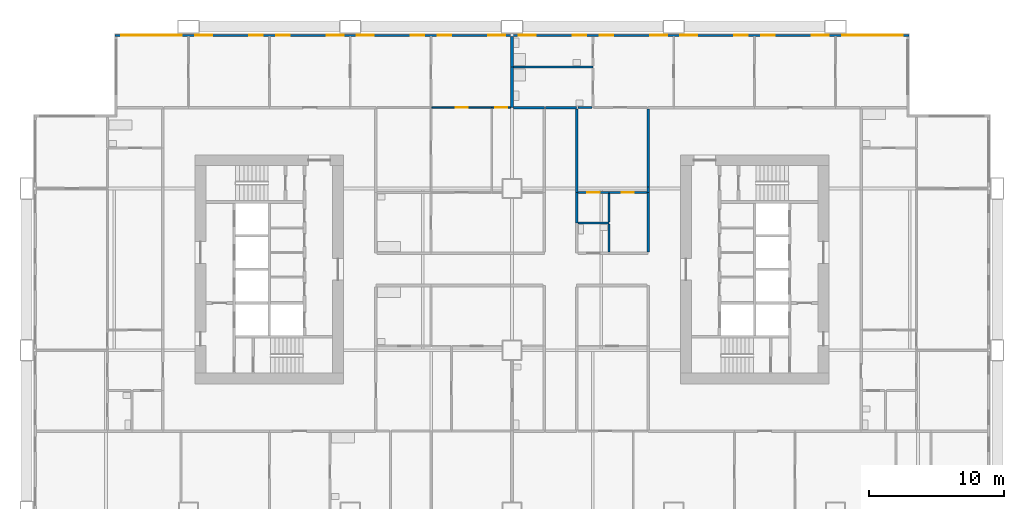
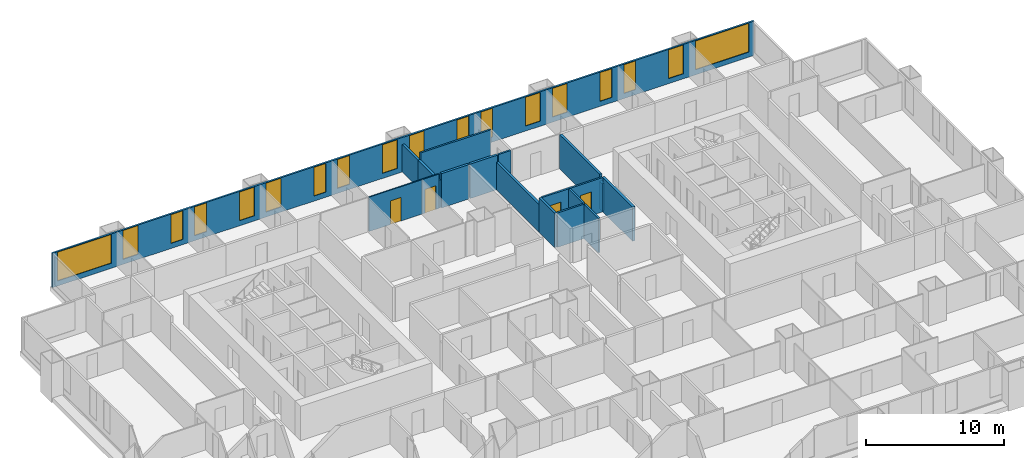
# One storey, part 9 of 14: 19 walls, 18 windows, 4 doors, 22 openings.
"""IFC4 building model written with IfcOpenShell, lengths in metres."""

from ifc_helpers import new_model, si_unit, direction, frame, frame_2d, origin, place, context, subcontext, project, spatial, rectangle, extrude, material, layer, layer_set, type_object, element, fill, save


model = new_model("IFC4")

# Units and contexts
model_context = context("Model", 3, precision=1e-05, world=origin(), true_north=direction((0.0, 1.0)))
body_context = subcontext(model_context, "Body", "Model", "MODEL_VIEW")
ifc_project = project(units=[si_unit("LENGTHUNIT", "METRE"), si_unit("AREAUNIT", "SQUARE_METRE"), si_unit("VOLUMEUNIT", "CUBIC_METRE"), si_unit("PLANEANGLEUNIT", "RADIAN"), si_unit("MASSUNIT", "GRAM", prefix="KILO")], contexts=[model_context])

# Site, building, storey
site_placement = place(None, origin())
site = spatial("IfcSite", under=ifc_project, at=site_placement, CompositionType="ELEMENT")
building_placement = place(site_placement, origin())
building = spatial("IfcBuilding", under=site, at=building_placement, Name="Kitamizu Gate Tower and Museum", CompositionType="ELEMENT")
storey_placement = place(building_placement, frame((0.0, 0.0, 74.85009765625)))
storey = spatial("IfcBuildingStorey", under=building, at=storey_placement, Name="L18", CompositionType="ELEMENT", Elevation=74.85009765625)

# Wall, opening, door
ifc_material_1 = material(Name="Gypsum board on galvanised stud")
ifc_layer_1 = layer(ifc_material_1, 0.10009765625)
ifc_layer_set_1 = layer_set([ifc_layer_1], Name="Gypsum board on galvanised stud")
wall_type_1 = type_object("IfcWallType", Name="Partition 100 NOT RATED", PredefinedType="PARTITIONING", material=ifc_layer_set_1)
wall_1_placement = place(storey_placement, frame((30.050048828125, 42.0, 0.0), z_axis=(0.0, 0.0, 1.0), x_axis=(1.0, 0.0, 0.0)))
wall_1 = element("IfcWall", 1, at=wall_1_placement, inside=storey, type_object=wall_type_1, Name="Partition L18-149", PredefinedType="PARTITIONING", context=body_context, shape_type="SweptSolid", body=[
    extrude(rectangle(XDim=4.449951171875, YDim=0.10009765625, at=frame_2d((2.22509765625, 0.0))), origin(), (0.0, 0.0, 1.0), 3.0498046875),
])
opening_1_placement = place(wall_1_placement, frame((1.77490234375, 0.0, 0.0)))
opening_1 = element("IfcOpeningElement", 2, at=opening_1_placement, cuts=wall_1, Name="Opening L18-054", PredefinedType="OPENING", context=body_context, shape_type="SweptSolid", body=[
    extrude(rectangle(XDim=0.89990234375, YDim=2.10009765625, at=frame_2d((0.449951171875, 1.050048828125))), frame((0.0, 0.06005859375, 0.0), z_axis=(0.0, -1.0, 0.0), x_axis=(1.0, 0.0, 0.0)), (0.0, 0.0, 1.0), 0.1201171875),
])
ifc_material_2 = material(Name="Timber door set", Category="wood")
door_type_1 = type_object("IfcDoorType", Name="Room door 900", OperationType="NOTDEFINED", PredefinedType="DOOR", material=ifc_material_2)
door_1_placement = place(opening_1_placement, frame((0.89990234375, 0.0, 0.0), x_axis=(-1.0, 0.0, 0.0)))
door_1 = element("IfcDoor", 3, at=door_1_placement, inside=storey, type_object=door_type_1, Name="Door L18-054", OperationType="SINGLE_SWING_LEFT", OverallHeight=2.10009765625, OverallWidth=0.89990234375, PredefinedType="DOOR", context=body_context, shape_type="SweptSolid", body=[
    extrude(rectangle(XDim=0.89990234375, YDim=2.10009765625, at=frame_2d((0.449951171875, 1.050048828125))), frame((0.0, 0.02490234375, 0.0), z_axis=(0.0, -1.0, 0.0), x_axis=(1.0, 0.0, 0.0)), (0.0, 0.0, 1.0), 0.050048828125),
])
fill(opening_1, door_1)

wall_2_placement = place(storey_placement, frame((34.5, 42.0, 0.0), z_axis=(0.0, 0.0, 1.0), x_axis=(1.0, 0.0, 0.0)))
wall_2 = element("IfcWall", 4, at=wall_2_placement, inside=storey, type_object=wall_type_1, Name="Partition L18-150", PredefinedType="PARTITIONING", context=body_context, shape_type="SweptSolid", body=[
    extrude(rectangle(XDim=1.39990234375, YDim=0.10009765625, at=frame_2d((0.699951171875, 0.0))), origin(), (0.0, 0.0, 1.0), 3.0498046875),
])
opening_2_placement = place(wall_2_placement, frame((0.25, 0.0, 0.0)))
opening_2 = element("IfcOpeningElement", 5, at=opening_2_placement, cuts=wall_2, Name="Opening L18-055", PredefinedType="OPENING", context=body_context, shape_type="SweptSolid", body=[
    extrude(rectangle(XDim=0.89990234375, YDim=2.10009765625, at=frame_2d((0.449951171875, 1.050048828125))), frame((0.0, 0.06005859375, 0.0), z_axis=(0.0, -1.0, 0.0), x_axis=(1.0, 0.0, 0.0)), (0.0, 0.0, 1.0), 0.1201171875),
])
door_2_placement = place(opening_2_placement, frame((0.89990234375, 0.0, 0.0), x_axis=(-1.0, 0.0, 0.0)))
door_2 = element("IfcDoor", 6, at=door_2_placement, inside=storey, type_object=door_type_1, Name="Door L18-055", OperationType="SINGLE_SWING_LEFT", OverallHeight=2.10009765625, OverallWidth=0.89990234375, PredefinedType="DOOR", context=body_context, shape_type="SweptSolid", body=[
    extrude(rectangle(XDim=0.89990234375, YDim=2.10009765625, at=frame_2d((0.449951171875, 1.050048828125))), frame((0.0, 0.02490234375, 0.0), z_axis=(0.0, -1.0, 0.0), x_axis=(1.0, 0.0, 0.0)), (0.0, 0.0, 1.0), 0.050048828125),
])
fill(opening_2, door_2)

# Walls
ifc_material_3 = material(Name="Gypsum board on galvanised stud")
ifc_layer_2 = layer(ifc_material_3, 0.14990234375)
ifc_layer_set_2 = layer_set([ifc_layer_2], Name="Gypsum board on galvanised stud")
wall_type_2 = type_object("IfcWallType", Name="Partition 150", PredefinedType="PARTITIONING", material=ifc_layer_set_2)
wall_3_placement = place(storey_placement, frame((42.0, 45.0, 0.0), z_axis=(0.0, 0.0, 1.0), x_axis=(-1.0, 0.0, 0.0)))
element("IfcWall", 7, at=wall_3_placement, inside=storey, type_object=wall_type_2, Name="Partition L18-171", PredefinedType="PARTITIONING", context=body_context, shape_type="SweptSolid", body=[
    extrude(rectangle(XDim=5.89990234375, YDim=0.14990234375, at=frame_2d((2.949951171875, 0.0))), origin(), (0.0, 0.0, 1.0), 3.0498046875),
])
wall_4_placement = place(storey_placement, frame((40.89990234375, 42.0, 0.0), z_axis=(0.0, 0.0, 1.0), x_axis=(1.0, 0.0, 0.0)))
element("IfcWall", 8, at=wall_4_placement, inside=storey, type_object=wall_type_2, Name="Partition L18-173", PredefinedType="PARTITIONING", context=body_context, shape_type="SweptSolid", body=[
    extrude(rectangle(XDim=1.025146484375, YDim=0.14990234375, at=frame_2d((0.5126953125, 0.0))), origin(), (0.0, 0.0, 1.0), 3.0498046875),
])

# Wall, opening, door
wall_5_placement = place(storey_placement, frame((40.89990234375, 35.699951171875, 0.0), z_axis=(0.0, 0.0, 1.0), x_axis=(1.0, 0.0, 0.0)))
wall_5 = element("IfcWall", 9, at=wall_5_placement, inside=storey, type_object=wall_type_2, Name="Partition L18-184", PredefinedType="PARTITIONING", context=body_context, shape_type="SweptSolid", body=[
    extrude(rectangle(XDim=2.300048828125, YDim=0.14990234375, at=frame_2d((1.14990234375, 0.0))), origin(), (0.0, 0.0, 1.0), 3.0498046875),
])
opening_3_placement = place(wall_5_placement, frame((0.699951171875, 0.0, 0.0)))
opening_3 = element("IfcOpeningElement", 10, at=opening_3_placement, cuts=wall_5, Name="Opening L18-068", PredefinedType="OPENING", context=body_context, shape_type="SweptSolid", body=[
    extrude(rectangle(XDim=0.89990234375, YDim=2.10009765625, at=frame_2d((0.449951171875, 1.050048828125))), frame((0.0, 0.0849609375, 0.0), z_axis=(0.0, -1.0, 0.0), x_axis=(1.0, 0.0, 0.0)), (0.0, 0.0, 1.0), 0.169921875),
])
ifc_material_4 = material(Name="Timber door set", Category="wood")
door_type_2 = type_object("IfcDoorType", Name="Bathroom door 900", OperationType="NOTDEFINED", PredefinedType="DOOR", material=ifc_material_4)
door_3_placement = place(opening_3_placement, frame((0.89990234375, 0.0, 0.0), x_axis=(-1.0, 0.0, 0.0)))
door_3 = element("IfcDoor", 11, at=door_3_placement, inside=storey, type_object=door_type_2, Name="Bathroom door L18-068", OperationType="SINGLE_SWING_RIGHT", OverallHeight=2.10009765625, OverallWidth=0.89990234375, PredefinedType="DOOR", context=body_context, shape_type="SweptSolid", body=[
    extrude(rectangle(XDim=0.89990234375, YDim=2.10009765625, at=frame_2d((0.449951171875, 1.050048828125))), frame((0.0, 0.02490234375, 0.0), z_axis=(0.0, -1.0, 0.0), x_axis=(1.0, 0.0, 0.0)), (0.0, 0.0, 1.0), 0.050048828125),
])
fill(opening_3, door_3)

wall_6_placement = place(storey_placement, frame((43.199951171875, 35.699951171875, 0.0), z_axis=(0.0, 0.0, 1.0), x_axis=(1.0, 0.0, 0.0)))
wall_6 = element("IfcWall", 12, at=wall_6_placement, inside=storey, type_object=wall_type_2, Name="Partition L18-185", PredefinedType="PARTITIONING", context=body_context, shape_type="SweptSolid", body=[
    extrude(rectangle(XDim=2.800048828125, YDim=0.14990234375, at=frame_2d((1.39990234375, 0.0))), origin(), (0.0, 0.0, 1.0), 3.0498046875),
])
opening_4_placement = place(wall_6_placement, frame((0.949951171875, 0.0, 0.0)))
opening_4 = element("IfcOpeningElement", 13, at=opening_4_placement, cuts=wall_6, Name="Opening L18-069", PredefinedType="OPENING", context=body_context, shape_type="SweptSolid", body=[
    extrude(rectangle(XDim=0.89990234375, YDim=2.10009765625, at=frame_2d((0.449951171875, 1.050048828125))), frame((0.0, 0.0849609375, 0.0), z_axis=(0.0, -1.0, 0.0), x_axis=(1.0, 0.0, 0.0)), (0.0, 0.0, 1.0), 0.169921875),
])
door_4_placement = place(opening_4_placement, frame((0.89990234375, 0.0, 0.0), x_axis=(-1.0, 0.0, 0.0)))
door_4 = element("IfcDoor", 14, at=door_4_placement, inside=storey, type_object=door_type_2, Name="Bathroom door L18-069", OperationType="SINGLE_SWING_LEFT", OverallHeight=2.10009765625, OverallWidth=0.89990234375, PredefinedType="DOOR", context=body_context, shape_type="SweptSolid", body=[
    extrude(rectangle(XDim=0.89990234375, YDim=2.10009765625, at=frame_2d((0.449951171875, 1.050048828125))), frame((0.0, 0.02490234375, 0.0), z_axis=(0.0, -1.0, 0.0), x_axis=(1.0, 0.0, 0.0)), (0.0, 0.0, 1.0), 0.050048828125),
])
fill(opening_4, door_4)

# Walls
wall_7_placement = place(storey_placement, frame((43.199951171875, 33.449951171875, 0.0), z_axis=(0.0, 0.0, 1.0), x_axis=(-1.0, 0.0, 0.0)))
element("IfcWall", 15, at=wall_7_placement, inside=storey, type_object=wall_type_2, Name="Partition L18-189", PredefinedType="PARTITIONING", context=body_context, shape_type="SweptSolid", body=[
    extrude(rectangle(XDim=2.300048828125, YDim=0.14990234375, at=frame_2d((1.14990234375, 0.0))), origin(), (0.0, 0.0, 1.0), 3.0498046875),
])
wall_8_placement = place(storey_placement, frame((43.199951171875, 31.300048828125, 0.0), z_axis=(0.0, 0.0, 1.0), x_axis=(0.0, 1.0, 0.0)))
element("IfcWall", 16, at=wall_8_placement, inside=storey, type_object=wall_type_2, Name="Partition L18-190", PredefinedType="PARTITIONING", context=body_context, shape_type="SweptSolid", body=[
    extrude(rectangle(XDim=2.074951171875, YDim=0.14990234375, at=frame_2d((1.03759765625, 0.0))), origin(), (0.0, 0.0, 1.0), 3.0498046875),
])
wall_9_placement = place(storey_placement, frame((43.199951171875, 33.52490234375, 0.0), z_axis=(0.0, 0.0, 1.0), x_axis=(0.0, 1.0, 0.0)))
element("IfcWall", 17, at=wall_9_placement, inside=storey, type_object=wall_type_2, Name="Partition L18-193", PredefinedType="PARTITIONING", context=body_context, shape_type="SweptSolid", body=[
    extrude(rectangle(XDim=2.10009765625, YDim=0.14990234375, at=frame_2d((1.050048828125, 0.0))), origin(), (0.0, 0.0, 1.0), 3.0498046875),
])
ifc_material_5 = material(Name="Gypsum board on galvanised stud")
ifc_layer_3 = layer(ifc_material_5, 0.199951171875)
ifc_layer_set_3 = layer_set([ifc_layer_3], Name="Gypsum board on galvanised stud")
wall_type_3 = type_object("IfcWallType", Name="Partition 200", PredefinedType="PARTITIONING", material=ifc_layer_set_3)
wall_10_placement = place(storey_placement, frame((36.0, 42.0, 0.0), z_axis=(0.0, 0.0, 1.0), x_axis=(0.0, 1.0, 0.0)))
element("IfcWall", 18, at=wall_10_placement, inside=storey, type_object=wall_type_3, Name="Partition L18-151", PredefinedType="PARTITIONING", context=body_context, shape_type="SweptSolid", body=[
    extrude(rectangle(XDim=3.0, YDim=0.199951171875, at=frame_2d((1.5, 0.0))), origin(), (0.0, 0.0, 1.0), 2.449951171875),
])
wall_11_placement = place(storey_placement, frame((36.0, 45.0, 0.0), z_axis=(0.0, 0.0, 1.0), x_axis=(0.0, 1.0, 0.0)))
element("IfcWall", 19, at=wall_11_placement, inside=storey, type_object=wall_type_3, Name="Partition L18-152", PredefinedType="PARTITIONING", context=body_context, shape_type="SweptSolid", body=[
    extrude(rectangle(XDim=2.280029296875, YDim=0.199951171875, at=frame_2d((1.14013671875, 0.0))), origin(), (0.0, 0.0, 1.0), 2.449951171875),
])
wall_12_placement = place(storey_placement, frame((38.39990234375, 42.0, 0.0), z_axis=(0.0, 0.0, 1.0), x_axis=(-1.0, 0.0, 0.0)))
element("IfcWall", 20, at=wall_12_placement, inside=storey, type_object=wall_type_3, Name="Partition L18-162", PredefinedType="PARTITIONING", context=body_context, shape_type="SweptSolid", body=[
    extrude(rectangle(XDim=2.2998046875, YDim=0.199951171875, at=frame_2d((1.14990234375, 0.0))), origin(), (0.0, 0.0, 1.0), 3.0498046875),
])
wall_13_placement = place(storey_placement, frame((38.5, 42.0, 0.0), z_axis=(0.0, 0.0, 1.0), x_axis=(1.0, 0.0, 0.0)))
element("IfcWall", 21, at=wall_13_placement, inside=storey, type_object=wall_type_3, Name="Partition L18-174", PredefinedType="PARTITIONING", context=body_context, shape_type="SweptSolid", body=[
    extrude(rectangle(XDim=2.300048828125, YDim=0.199951171875, at=frame_2d((1.14990234375, 0.0))), origin(), (0.0, 0.0, 1.0), 3.0498046875),
])
wall_14_placement = place(storey_placement, frame((40.800048828125, 41.89990234375, 0.0), z_axis=(0.0, 0.0, 1.0), x_axis=(0.0, -1.0, 0.0)))
element("IfcWall", 22, at=wall_14_placement, inside=storey, type_object=wall_type_3, Name="Partition L18-186", PredefinedType="PARTITIONING", context=body_context, shape_type="SweptSolid", body=[
    extrude(rectangle(XDim=6.199951171875, YDim=0.199951171875, at=frame_2d((3.10009765625, 0.0))), origin(), (0.0, 0.0, 1.0), 2.449951171875),
])
wall_15_placement = place(storey_placement, frame((46.10009765625, 35.699951171875, 0.0), z_axis=(0.0, 0.0, 1.0), x_axis=(0.0, 1.0, 0.0)))
element("IfcWall", 23, at=wall_15_placement, inside=storey, type_object=wall_type_3, Name="Partition L18-187", PredefinedType="PARTITIONING", context=body_context, shape_type="SweptSolid", body=[
    extrude(rectangle(XDim=0.400146484375, YDim=0.199951171875, at=frame_2d((0.2001953125, 0.0))), origin(), (0.0, 0.0, 1.0), 2.449951171875),
])
wall_16_placement = place(storey_placement, frame((46.10009765625, 36.10009765625, 0.0), z_axis=(0.0, 0.0, 1.0), x_axis=(0.0, 1.0, 0.0)))
element("IfcWall", 24, at=wall_16_placement, inside=storey, type_object=wall_type_3, Name="Partition L18-188", PredefinedType="PARTITIONING", context=body_context, shape_type="SweptSolid", body=[
    extrude(rectangle(XDim=5.7998046875, YDim=0.199951171875, at=frame_2d((2.89990234375, 0.0))), origin(), (0.0, 0.0, 1.0), 3.0498046875),
])
wall_17_placement = place(storey_placement, frame((40.800048828125, 35.699951171875, 0.0), z_axis=(0.0, 0.0, 1.0), x_axis=(0.0, -1.0, 0.0)))
element("IfcWall", 25, at=wall_17_placement, inside=storey, type_object=wall_type_3, Name="Partition L18-194", PredefinedType="PARTITIONING", context=body_context, shape_type="SweptSolid", body=[
    extrude(rectangle(XDim=2.25, YDim=0.199951171875, at=frame_2d((1.125, 0.0))), origin(), (0.0, 0.0, 1.0), 3.0498046875),
])
wall_18_placement = place(storey_placement, frame((46.10009765625, 31.300048828125, 0.0), z_axis=(0.0, 0.0, 1.0), x_axis=(0.0, 1.0, 0.0)))
element("IfcWall", 26, at=wall_18_placement, inside=storey, type_object=wall_type_3, Name="Partition L18-196", PredefinedType="PARTITIONING", context=body_context, shape_type="SweptSolid", body=[
    extrude(rectangle(XDim=4.39990234375, YDim=0.199951171875, at=frame_2d((2.199951171875, 0.0))), origin(), (0.0, 0.0, 1.0), 3.0498046875),
])

# Wall, openings, windows
ifc_material_6 = material(Name="Bronze anodised aluminium frame with insulated spandrel and tinted glass", Category="aluminium")
ifc_layer_4 = layer(ifc_material_6, 0.14990234375)
ifc_layer_set_4 = layer_set([ifc_layer_4], Name="Bronze anodised aluminium frame with insulated spandrel and tinted glass")
wall_type_4 = type_object("IfcWallType", Name="WINDOW WALL 150 BRONZE FRAME EI 30", PredefinedType="ELEMENTEDWALL", material=ifc_layer_set_4)
wall_19_placement = place(storey_placement, frame((6.56005859375, 47.364990234375, 0.0), z_axis=(0.0, 0.0, 1.0), x_axis=(1.0, 0.0, 0.0)))
wall_19 = element("IfcWall", 27, at=wall_19_placement, inside=storey, type_object=wall_type_4, Name="Window wall north L18", PredefinedType="ELEMENTEDWALL", context=body_context, shape_type="SweptSolid", body=[
    extrude(rectangle(XDim=58.8798828125, YDim=0.14990234375, at=frame_2d((29.43994140625, 0.0))), origin(), (0.0, 0.0, 1.0), 3.0498046875),
])
opening_5_placement = place(wall_19_placement, frame((0.43994140625, 0.0, 0.449951171875)))
opening_5 = element("IfcOpeningElement", 28, at=opening_5_placement, cuts=wall_19, Name="Opening W15", PredefinedType="OPENING", context=body_context, shape_type="SweptSolid", body=[
    extrude(rectangle(XDim=4.5, YDim=2.550048828125, at=frame_2d((2.25, 1.27490234375))), frame((0.0, 0.0849609375, 0.0), z_axis=(0.0, -1.0, 0.0), x_axis=(1.0, 0.0, 0.0)), (0.0, 0.0, 1.0), 0.169921875),
])
opening_6_placement = place(wall_19_placement, frame((5.93994140625, 0.0, 0.449951171875)))
opening_6 = element("IfcOpeningElement", 29, at=opening_6_placement, cuts=wall_19, Name="Opening W27", PredefinedType="OPENING", context=body_context, shape_type="SweptSolid", body=[
    extrude(rectangle(XDim=1.25, YDim=2.550048828125, at=frame_2d((0.625, 1.27490234375))), frame((0.0, 0.0849609375, 0.0), z_axis=(0.0, -1.0, 0.0), x_axis=(1.0, 0.0, 0.0)), (0.0, 0.0, 1.0), 0.169921875),
])
opening_7_placement = place(wall_19_placement, frame((9.93994140625, 0.0, 0.449951171875)))
opening_7 = element("IfcOpeningElement", 30, at=opening_7_placement, cuts=wall_19, Name="Opening W26", PredefinedType="OPENING", context=body_context, shape_type="SweptSolid", body=[
    extrude(rectangle(XDim=1.0, YDim=2.550048828125, at=frame_2d((0.5, 1.27490234375))), frame((0.0, 0.0849609375, 0.0), z_axis=(0.0, -1.0, 0.0), x_axis=(1.0, 0.0, 0.0)), (0.0, 0.0, 1.0), 0.169921875),
])
opening_8_placement = place(wall_19_placement, frame((11.93994140625, 0.0, 0.449951171875)))
opening_8 = element("IfcOpeningElement", 31, at=opening_8_placement, cuts=wall_19, Name="Opening W26", PredefinedType="OPENING", context=body_context, shape_type="SweptSolid", body=[
    extrude(rectangle(XDim=1.0, YDim=2.550048828125, at=frame_2d((0.5, 1.27490234375))), frame((0.0, 0.0849609375, 0.0), z_axis=(0.0, -1.0, 0.0), x_axis=(1.0, 0.0, 0.0)), (0.0, 0.0, 1.0), 0.169921875),
])
opening_9_placement = place(wall_19_placement, frame((15.68994140625, 0.0, 0.449951171875)))
opening_9 = element("IfcOpeningElement", 32, at=opening_9_placement, cuts=wall_19, Name="Opening W27", PredefinedType="OPENING", context=body_context, shape_type="SweptSolid", body=[
    extrude(rectangle(XDim=1.25, YDim=2.550048828125, at=frame_2d((0.625, 1.27490234375))), frame((0.0, 0.0849609375, 0.0), z_axis=(0.0, -1.0, 0.0), x_axis=(1.0, 0.0, 0.0)), (0.0, 0.0, 1.0), 0.169921875),
])
opening_10_placement = place(wall_19_placement, frame((17.93994140625, 0.0, 0.449951171875)))
opening_10 = element("IfcOpeningElement", 33, at=opening_10_placement, cuts=wall_19, Name="Opening W27", PredefinedType="OPENING", context=body_context, shape_type="SweptSolid", body=[
    extrude(rectangle(XDim=1.25, YDim=2.550048828125, at=frame_2d((0.625, 1.27490234375))), frame((0.0, 0.0849609375, 0.0), z_axis=(0.0, -1.0, 0.0), x_axis=(1.0, 0.0, 0.0)), (0.0, 0.0, 1.0), 0.169921875),
])
opening_11_placement = place(wall_19_placement, frame((21.93994140625, 0.0, 0.449951171875)))
opening_11 = element("IfcOpeningElement", 34, at=opening_11_placement, cuts=wall_19, Name="Opening W26", PredefinedType="OPENING", context=body_context, shape_type="SweptSolid", body=[
    extrude(rectangle(XDim=1.0, YDim=2.550048828125, at=frame_2d((0.5, 1.27490234375))), frame((0.0, 0.0849609375, 0.0), z_axis=(0.0, -1.0, 0.0), x_axis=(1.0, 0.0, 0.0)), (0.0, 0.0, 1.0), 0.169921875),
])
opening_12_placement = place(wall_19_placement, frame((23.93994140625, 0.0, 0.449951171875)))
opening_12 = element("IfcOpeningElement", 35, at=opening_12_placement, cuts=wall_19, Name="Opening W26", PredefinedType="OPENING", context=body_context, shape_type="SweptSolid", body=[
    extrude(rectangle(XDim=1.0, YDim=2.550048828125, at=frame_2d((0.5, 1.27490234375))), frame((0.0, 0.0849609375, 0.0), z_axis=(0.0, -1.0, 0.0), x_axis=(1.0, 0.0, 0.0)), (0.0, 0.0, 1.0), 0.169921875),
])
opening_13_placement = place(wall_19_placement, frame((27.68994140625, 0.0, 0.449951171875)))
opening_13 = element("IfcOpeningElement", 36, at=opening_13_placement, cuts=wall_19, Name="Opening W27", PredefinedType="OPENING", context=body_context, shape_type="SweptSolid", body=[
    extrude(rectangle(XDim=1.25, YDim=2.550048828125, at=frame_2d((0.625, 1.27490234375))), frame((0.0, 0.0849609375, 0.0), z_axis=(0.0, -1.0, 0.0), x_axis=(1.0, 0.0, 0.0)), (0.0, 0.0, 1.0), 0.169921875),
])
opening_14_placement = place(wall_19_placement, frame((29.93994140625, 0.0, 0.449951171875)))
opening_14 = element("IfcOpeningElement", 37, at=opening_14_placement, cuts=wall_19, Name="Opening W27", PredefinedType="OPENING", context=body_context, shape_type="SweptSolid", body=[
    extrude(rectangle(XDim=1.25, YDim=2.550048828125, at=frame_2d((0.625, 1.27490234375))), frame((0.0, 0.0849609375, 0.0), z_axis=(0.0, -1.0, 0.0), x_axis=(1.0, 0.0, 0.0)), (0.0, 0.0, 1.0), 0.169921875),
])
opening_15_placement = place(wall_19_placement, frame((33.93994140625, 0.0, 0.449951171875)))
opening_15 = element("IfcOpeningElement", 38, at=opening_15_placement, cuts=wall_19, Name="Opening W26", PredefinedType="OPENING", context=body_context, shape_type="SweptSolid", body=[
    extrude(rectangle(XDim=1.0, YDim=2.550048828125, at=frame_2d((0.5, 1.27490234375))), frame((0.0, 0.0849609375, 0.0), z_axis=(0.0, -1.0, 0.0), x_axis=(1.0, 0.0, 0.0)), (0.0, 0.0, 1.0), 0.169921875),
])
opening_16_placement = place(wall_19_placement, frame((35.93994140625, 0.0, 0.449951171875)))
opening_16 = element("IfcOpeningElement", 39, at=opening_16_placement, cuts=wall_19, Name="Opening W26", PredefinedType="OPENING", context=body_context, shape_type="SweptSolid", body=[
    extrude(rectangle(XDim=1.0, YDim=2.550048828125, at=frame_2d((0.5, 1.27490234375))), frame((0.0, 0.0849609375, 0.0), z_axis=(0.0, -1.0, 0.0), x_axis=(1.0, 0.0, 0.0)), (0.0, 0.0, 1.0), 0.169921875),
])
opening_17_placement = place(wall_19_placement, frame((39.68994140625, 0.0, 0.449951171875)))
opening_17 = element("IfcOpeningElement", 40, at=opening_17_placement, cuts=wall_19, Name="Opening W27", PredefinedType="OPENING", context=body_context, shape_type="SweptSolid", body=[
    extrude(rectangle(XDim=1.25, YDim=2.550048828125, at=frame_2d((0.625, 1.27490234375))), frame((0.0, 0.0849609375, 0.0), z_axis=(0.0, -1.0, 0.0), x_axis=(1.0, 0.0, 0.0)), (0.0, 0.0, 1.0), 0.169921875),
])
opening_18_placement = place(wall_19_placement, frame((41.93994140625, 0.0, 0.449951171875)))
opening_18 = element("IfcOpeningElement", 41, at=opening_18_placement, cuts=wall_19, Name="Opening W27", PredefinedType="OPENING", context=body_context, shape_type="SweptSolid", body=[
    extrude(rectangle(XDim=1.25, YDim=2.550048828125, at=frame_2d((0.625, 1.27490234375))), frame((0.0, 0.0849609375, 0.0), z_axis=(0.0, -1.0, 0.0), x_axis=(1.0, 0.0, 0.0)), (0.0, 0.0, 1.0), 0.169921875),
])
opening_19_placement = place(wall_19_placement, frame((45.93994140625, 0.0, 0.449951171875)))
opening_19 = element("IfcOpeningElement", 42, at=opening_19_placement, cuts=wall_19, Name="Opening W26", PredefinedType="OPENING", context=body_context, shape_type="SweptSolid", body=[
    extrude(rectangle(XDim=1.0, YDim=2.550048828125, at=frame_2d((0.5, 1.27490234375))), frame((0.0, 0.0849609375, 0.0), z_axis=(0.0, -1.0, 0.0), x_axis=(1.0, 0.0, 0.0)), (0.0, 0.0, 1.0), 0.169921875),
])
opening_20_placement = place(wall_19_placement, frame((47.93994140625, 0.0, 0.449951171875)))
opening_20 = element("IfcOpeningElement", 43, at=opening_20_placement, cuts=wall_19, Name="Opening W26", PredefinedType="OPENING", context=body_context, shape_type="SweptSolid", body=[
    extrude(rectangle(XDim=1.0, YDim=2.550048828125, at=frame_2d((0.5, 1.27490234375))), frame((0.0, 0.0849609375, 0.0), z_axis=(0.0, -1.0, 0.0), x_axis=(1.0, 0.0, 0.0)), (0.0, 0.0, 1.0), 0.169921875),
])
opening_21_placement = place(wall_19_placement, frame((51.68994140625, 0.0, 0.449951171875)))
opening_21 = element("IfcOpeningElement", 44, at=opening_21_placement, cuts=wall_19, Name="Opening W27", PredefinedType="OPENING", context=body_context, shape_type="SweptSolid", body=[
    extrude(rectangle(XDim=1.25, YDim=2.550048828125, at=frame_2d((0.625, 1.27490234375))), frame((0.0, 0.0849609375, 0.0), z_axis=(0.0, -1.0, 0.0), x_axis=(1.0, 0.0, 0.0)), (0.0, 0.0, 1.0), 0.169921875),
])
opening_22_placement = place(wall_19_placement, frame((53.93994140625, 0.0, 0.449951171875)))
opening_22 = element("IfcOpeningElement", 45, at=opening_22_placement, cuts=wall_19, Name="Opening W15", PredefinedType="OPENING", context=body_context, shape_type="SweptSolid", body=[
    extrude(rectangle(XDim=4.5, YDim=2.550048828125, at=frame_2d((2.25, 1.27490234375))), frame((0.0, 0.0849609375, 0.0), z_axis=(0.0, -1.0, 0.0), x_axis=(1.0, 0.0, 0.0)), (0.0, 0.0, 1.0), 0.169921875),
])
ifc_material_7 = material(Name="Bronze anodised aluminium frame, tinted triple glazing", Category="aluminium")
window_type_1 = type_object("IfcWindowType", Name="WINDOW 1000 x 2550 SILL 450", PartitioningType="SINGLE_PANEL", PredefinedType="WINDOW", material=ifc_material_7)
window_1_placement = place(opening_7_placement, origin())
window_1 = element("IfcWindow", 46, at=window_1_placement, inside=storey, type_object=window_type_1, Name="Window W26 L18", OverallHeight=2.550048828125, OverallWidth=1.0, PartitioningType="SINGLE_PANEL", PredefinedType="WINDOW", context=body_context, shape_type="SweptSolid", body=[
    extrude(rectangle(XDim=1.0, YDim=2.550048828125, at=frame_2d((0.5, 1.27490234375))), frame((0.0, 0.030029296875, 0.0), z_axis=(0.0, -1.0, 0.0), x_axis=(1.0, 0.0, 0.0)), (0.0, 0.0, 1.0), 0.06005859375),
])
fill(opening_7, window_1)
window_2_placement = place(opening_8_placement, origin())
window_2 = element("IfcWindow", 47, at=window_2_placement, inside=storey, type_object=window_type_1, Name="Window W26 L18", OverallHeight=2.550048828125, OverallWidth=1.0, PartitioningType="SINGLE_PANEL", PredefinedType="WINDOW", context=body_context, shape_type="SweptSolid", body=[
    extrude(rectangle(XDim=1.0, YDim=2.550048828125, at=frame_2d((0.5, 1.27490234375))), frame((0.0, 0.030029296875, 0.0), z_axis=(0.0, -1.0, 0.0), x_axis=(1.0, 0.0, 0.0)), (0.0, 0.0, 1.0), 0.06005859375),
])
fill(opening_8, window_2)
window_3_placement = place(opening_11_placement, origin())
window_3 = element("IfcWindow", 48, at=window_3_placement, inside=storey, type_object=window_type_1, Name="Window W26 L18", OverallHeight=2.550048828125, OverallWidth=1.0, PartitioningType="SINGLE_PANEL", PredefinedType="WINDOW", context=body_context, shape_type="SweptSolid", body=[
    extrude(rectangle(XDim=1.0, YDim=2.550048828125, at=frame_2d((0.5, 1.27490234375))), frame((0.0, 0.030029296875, 0.0), z_axis=(0.0, -1.0, 0.0), x_axis=(1.0, 0.0, 0.0)), (0.0, 0.0, 1.0), 0.06005859375),
])
fill(opening_11, window_3)
window_4_placement = place(opening_12_placement, origin())
window_4 = element("IfcWindow", 49, at=window_4_placement, inside=storey, type_object=window_type_1, Name="Window W26 L18", OverallHeight=2.550048828125, OverallWidth=1.0, PartitioningType="SINGLE_PANEL", PredefinedType="WINDOW", context=body_context, shape_type="SweptSolid", body=[
    extrude(rectangle(XDim=1.0, YDim=2.550048828125, at=frame_2d((0.5, 1.27490234375))), frame((0.0, 0.030029296875, 0.0), z_axis=(0.0, -1.0, 0.0), x_axis=(1.0, 0.0, 0.0)), (0.0, 0.0, 1.0), 0.06005859375),
])
fill(opening_12, window_4)
window_5_placement = place(opening_15_placement, origin())
window_5 = element("IfcWindow", 50, at=window_5_placement, inside=storey, type_object=window_type_1, Name="Window W26 L18", OverallHeight=2.550048828125, OverallWidth=1.0, PartitioningType="SINGLE_PANEL", PredefinedType="WINDOW", context=body_context, shape_type="SweptSolid", body=[
    extrude(rectangle(XDim=1.0, YDim=2.550048828125, at=frame_2d((0.5, 1.27490234375))), frame((0.0, 0.030029296875, 0.0), z_axis=(0.0, -1.0, 0.0), x_axis=(1.0, 0.0, 0.0)), (0.0, 0.0, 1.0), 0.06005859375),
])
fill(opening_15, window_5)
window_6_placement = place(opening_16_placement, origin())
window_6 = element("IfcWindow", 51, at=window_6_placement, inside=storey, type_object=window_type_1, Name="Window W26 L18", OverallHeight=2.550048828125, OverallWidth=1.0, PartitioningType="SINGLE_PANEL", PredefinedType="WINDOW", context=body_context, shape_type="SweptSolid", body=[
    extrude(rectangle(XDim=1.0, YDim=2.550048828125, at=frame_2d((0.5, 1.27490234375))), frame((0.0, 0.030029296875, 0.0), z_axis=(0.0, -1.0, 0.0), x_axis=(1.0, 0.0, 0.0)), (0.0, 0.0, 1.0), 0.06005859375),
])
fill(opening_16, window_6)
window_7_placement = place(opening_19_placement, origin())
window_7 = element("IfcWindow", 52, at=window_7_placement, inside=storey, type_object=window_type_1, Name="Window W26 L18", OverallHeight=2.550048828125, OverallWidth=1.0, PartitioningType="SINGLE_PANEL", PredefinedType="WINDOW", context=body_context, shape_type="SweptSolid", body=[
    extrude(rectangle(XDim=1.0, YDim=2.550048828125, at=frame_2d((0.5, 1.27490234375))), frame((0.0, 0.030029296875, 0.0), z_axis=(0.0, -1.0, 0.0), x_axis=(1.0, 0.0, 0.0)), (0.0, 0.0, 1.0), 0.06005859375),
])
fill(opening_19, window_7)
window_8_placement = place(opening_20_placement, origin())
window_8 = element("IfcWindow", 53, at=window_8_placement, inside=storey, type_object=window_type_1, Name="Window W26 L18", OverallHeight=2.550048828125, OverallWidth=1.0, PartitioningType="SINGLE_PANEL", PredefinedType="WINDOW", context=body_context, shape_type="SweptSolid", body=[
    extrude(rectangle(XDim=1.0, YDim=2.550048828125, at=frame_2d((0.5, 1.27490234375))), frame((0.0, 0.030029296875, 0.0), z_axis=(0.0, -1.0, 0.0), x_axis=(1.0, 0.0, 0.0)), (0.0, 0.0, 1.0), 0.06005859375),
])
fill(opening_20, window_8)
ifc_material_8 = material(Name="Bronze anodised aluminium frame, tinted triple glazing", Category="aluminium")
window_type_2 = type_object("IfcWindowType", Name="WINDOW 1250 x 2550 SILL 450", PartitioningType="SINGLE_PANEL", PredefinedType="WINDOW", material=ifc_material_8)
window_9_placement = place(opening_6_placement, origin())
window_9 = element("IfcWindow", 54, at=window_9_placement, inside=storey, type_object=window_type_2, Name="Window W27 L18", OverallHeight=2.550048828125, OverallWidth=1.25, PartitioningType="SINGLE_PANEL", PredefinedType="WINDOW", context=body_context, shape_type="SweptSolid", body=[
    extrude(rectangle(XDim=1.25, YDim=2.550048828125, at=frame_2d((0.625, 1.27490234375))), frame((0.0, 0.030029296875, 0.0), z_axis=(0.0, -1.0, 0.0), x_axis=(1.0, 0.0, 0.0)), (0.0, 0.0, 1.0), 0.06005859375),
])
fill(opening_6, window_9)
window_10_placement = place(opening_9_placement, origin())
window_10 = element("IfcWindow", 55, at=window_10_placement, inside=storey, type_object=window_type_2, Name="Window W27 L18", OverallHeight=2.550048828125, OverallWidth=1.25, PartitioningType="SINGLE_PANEL", PredefinedType="WINDOW", context=body_context, shape_type="SweptSolid", body=[
    extrude(rectangle(XDim=1.25, YDim=2.550048828125, at=frame_2d((0.625, 1.27490234375))), frame((0.0, 0.030029296875, 0.0), z_axis=(0.0, -1.0, 0.0), x_axis=(1.0, 0.0, 0.0)), (0.0, 0.0, 1.0), 0.06005859375),
])
fill(opening_9, window_10)
window_11_placement = place(opening_10_placement, origin())
window_11 = element("IfcWindow", 56, at=window_11_placement, inside=storey, type_object=window_type_2, Name="Window W27 L18", OverallHeight=2.550048828125, OverallWidth=1.25, PartitioningType="SINGLE_PANEL", PredefinedType="WINDOW", context=body_context, shape_type="SweptSolid", body=[
    extrude(rectangle(XDim=1.25, YDim=2.550048828125, at=frame_2d((0.625, 1.27490234375))), frame((0.0, 0.030029296875, 0.0), z_axis=(0.0, -1.0, 0.0), x_axis=(1.0, 0.0, 0.0)), (0.0, 0.0, 1.0), 0.06005859375),
])
fill(opening_10, window_11)
window_12_placement = place(opening_13_placement, origin())
window_12 = element("IfcWindow", 57, at=window_12_placement, inside=storey, type_object=window_type_2, Name="Window W27 L18", OverallHeight=2.550048828125, OverallWidth=1.25, PartitioningType="SINGLE_PANEL", PredefinedType="WINDOW", context=body_context, shape_type="SweptSolid", body=[
    extrude(rectangle(XDim=1.25, YDim=2.550048828125, at=frame_2d((0.625, 1.27490234375))), frame((0.0, 0.030029296875, 0.0), z_axis=(0.0, -1.0, 0.0), x_axis=(1.0, 0.0, 0.0)), (0.0, 0.0, 1.0), 0.06005859375),
])
fill(opening_13, window_12)
window_13_placement = place(opening_14_placement, origin())
window_13 = element("IfcWindow", 58, at=window_13_placement, inside=storey, type_object=window_type_2, Name="Window W27 L18", OverallHeight=2.550048828125, OverallWidth=1.25, PartitioningType="SINGLE_PANEL", PredefinedType="WINDOW", context=body_context, shape_type="SweptSolid", body=[
    extrude(rectangle(XDim=1.25, YDim=2.550048828125, at=frame_2d((0.625, 1.27490234375))), frame((0.0, 0.030029296875, 0.0), z_axis=(0.0, -1.0, 0.0), x_axis=(1.0, 0.0, 0.0)), (0.0, 0.0, 1.0), 0.06005859375),
])
fill(opening_14, window_13)
window_14_placement = place(opening_17_placement, origin())
window_14 = element("IfcWindow", 59, at=window_14_placement, inside=storey, type_object=window_type_2, Name="Window W27 L18", OverallHeight=2.550048828125, OverallWidth=1.25, PartitioningType="SINGLE_PANEL", PredefinedType="WINDOW", context=body_context, shape_type="SweptSolid", body=[
    extrude(rectangle(XDim=1.25, YDim=2.550048828125, at=frame_2d((0.625, 1.27490234375))), frame((0.0, 0.030029296875, 0.0), z_axis=(0.0, -1.0, 0.0), x_axis=(1.0, 0.0, 0.0)), (0.0, 0.0, 1.0), 0.06005859375),
])
fill(opening_17, window_14)
window_15_placement = place(opening_18_placement, origin())
window_15 = element("IfcWindow", 60, at=window_15_placement, inside=storey, type_object=window_type_2, Name="Window W27 L18", OverallHeight=2.550048828125, OverallWidth=1.25, PartitioningType="SINGLE_PANEL", PredefinedType="WINDOW", context=body_context, shape_type="SweptSolid", body=[
    extrude(rectangle(XDim=1.25, YDim=2.550048828125, at=frame_2d((0.625, 1.27490234375))), frame((0.0, 0.030029296875, 0.0), z_axis=(0.0, -1.0, 0.0), x_axis=(1.0, 0.0, 0.0)), (0.0, 0.0, 1.0), 0.06005859375),
])
fill(opening_18, window_15)
window_16_placement = place(opening_21_placement, origin())
window_16 = element("IfcWindow", 61, at=window_16_placement, inside=storey, type_object=window_type_2, Name="Window W27 L18", OverallHeight=2.550048828125, OverallWidth=1.25, PartitioningType="SINGLE_PANEL", PredefinedType="WINDOW", context=body_context, shape_type="SweptSolid", body=[
    extrude(rectangle(XDim=1.25, YDim=2.550048828125, at=frame_2d((0.625, 1.27490234375))), frame((0.0, 0.030029296875, 0.0), z_axis=(0.0, -1.0, 0.0), x_axis=(1.0, 0.0, 0.0)), (0.0, 0.0, 1.0), 0.06005859375),
])
fill(opening_21, window_16)
ifc_material_9 = material(Name="Bronze anodised aluminium frame, tinted triple glazing", Category="aluminium")
window_type_3 = type_object("IfcWindowType", Name="WINDOW 4500 x 2550 SILL 450", PartitioningType="SINGLE_PANEL", PredefinedType="WINDOW", material=ifc_material_9)
window_17_placement = place(opening_5_placement, origin())
window_17 = element("IfcWindow", 62, at=window_17_placement, inside=storey, type_object=window_type_3, Name="Window W15 L18", OverallHeight=2.550048828125, OverallWidth=4.5, PartitioningType="SINGLE_PANEL", PredefinedType="WINDOW", context=body_context, shape_type="SweptSolid", body=[
    extrude(rectangle(XDim=4.5, YDim=2.550048828125, at=frame_2d((2.25, 1.27490234375))), frame((0.0, 0.030029296875, 0.0), z_axis=(0.0, -1.0, 0.0), x_axis=(1.0, 0.0, 0.0)), (0.0, 0.0, 1.0), 0.06005859375),
])
fill(opening_5, window_17)
window_18_placement = place(opening_22_placement, origin())
window_18 = element("IfcWindow", 63, at=window_18_placement, inside=storey, type_object=window_type_3, Name="Window W15 L18", OverallHeight=2.550048828125, OverallWidth=4.5, PartitioningType="SINGLE_PANEL", PredefinedType="WINDOW", context=body_context, shape_type="SweptSolid", body=[
    extrude(rectangle(XDim=4.5, YDim=2.550048828125, at=frame_2d((2.25, 1.27490234375))), frame((0.0, 0.030029296875, 0.0), z_axis=(0.0, -1.0, 0.0), x_axis=(1.0, 0.0, 0.0)), (0.0, 0.0, 1.0), 0.06005859375),
])
fill(opening_22, window_18)

save(model, "model.ifc")
